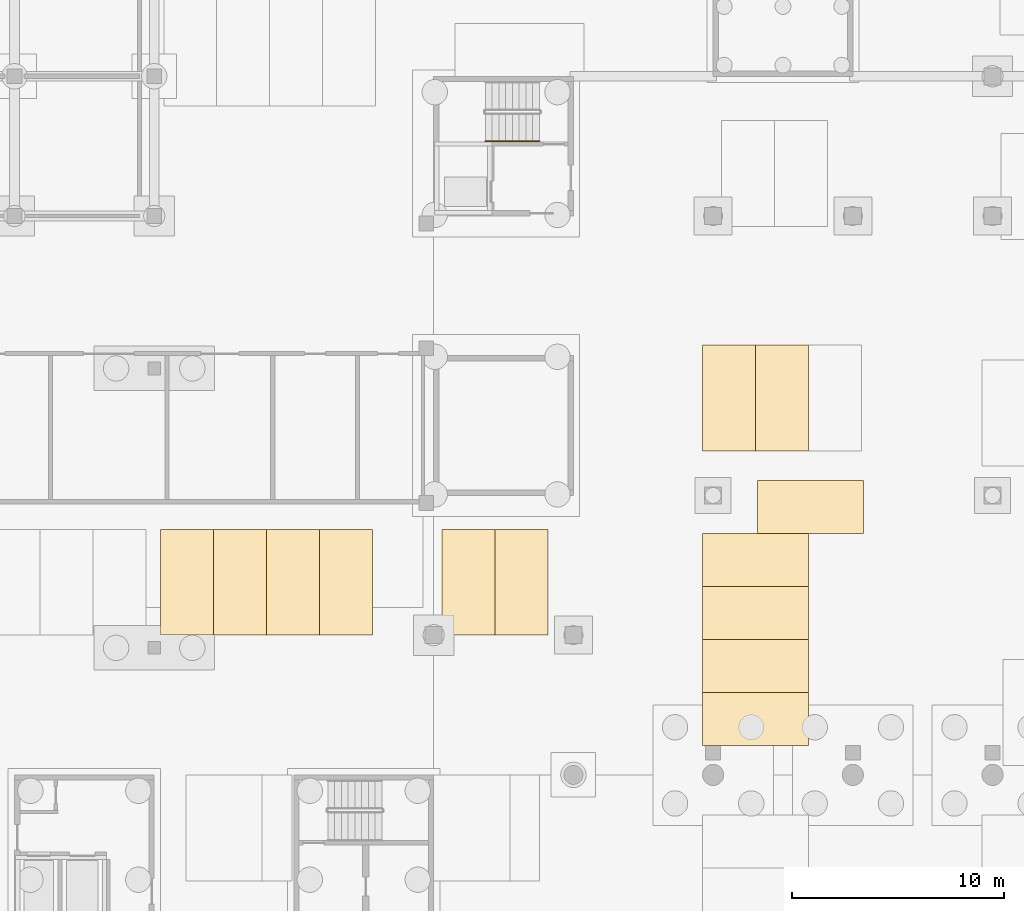
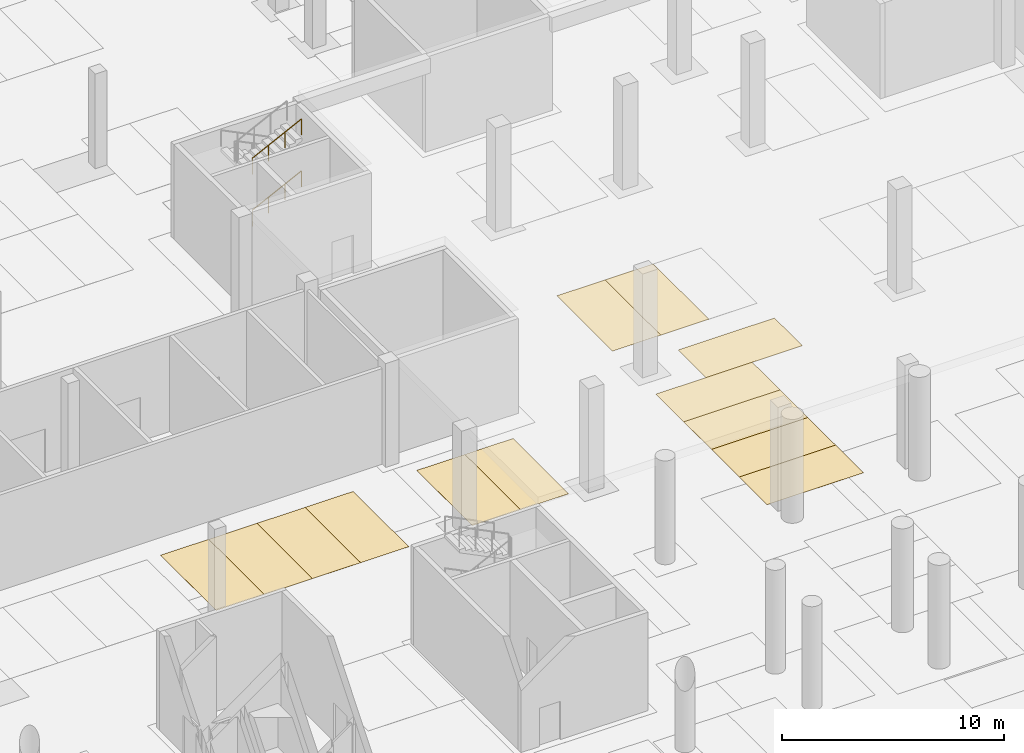
# One storey, part 28 of 38: 13 coverings, 2 railings.
"""IFC4 building model written with IfcOpenShell, lengths in metres."""

from ifc_helpers import new_model, si_unit, direction, frame, origin, origin_2d, place, context, subcontext, project, spatial, polyline, circle, outline, extrude, material, layer, layer_set, type_object, element, save


model = new_model("IFC4")

# Units and contexts
model_context = context("Model", 3, precision=1e-05, world=origin(), true_north=direction((0.0, 1.0)))
body_context = subcontext(model_context, "Body", "Model", "MODEL_VIEW")
ifc_project = project(units=[si_unit("LENGTHUNIT", "METRE"), si_unit("AREAUNIT", "SQUARE_METRE"), si_unit("VOLUMEUNIT", "CUBIC_METRE"), si_unit("PLANEANGLEUNIT", "RADIAN"), si_unit("MASSUNIT", "GRAM", prefix="KILO")], contexts=[model_context])

# Site, building, storey
site_placement = place(None, origin())
site = spatial("IfcSite", under=ifc_project, at=site_placement, CompositionType="ELEMENT")
building_placement = place(site_placement, origin())
building = spatial("IfcBuilding", under=site, at=building_placement, Name="Lantern Court Research Institute", CompositionType="ELEMENT")
storey_placement = place(building_placement, frame((0.0, 0.0, -5.699951171875)))
storey = spatial("IfcBuildingStorey", under=building, at=storey_placement, Name="B1", CompositionType="ELEMENT", Elevation=-5.699951171875)

# Coverings
ifc_material_1 = material(Name="Thermoplastic road marking paint")
ifc_layer = layer(ifc_material_1, 0.0029296875)
ifc_layer_set = layer_set([ifc_layer], Name="Thermoplastic road marking paint")
covering_type = type_object("IfcCoveringType", Name="Parking bay marking", PredefinedType="FLOORING", material=ifc_layer_set)
covering_1_placement = place(storey_placement, origin())
element("IfcCovering", 1, at=covering_1_placement, inside=storey, type_object=covering_type, Name="Parking bay marking 050", PredefinedType="FLOORING", context=body_context, shape_type="SweptSolid", body=[
    extrude(outline(polyline([(52.300048828125, 24.5), (57.300048828125, 24.5), (57.300048828125, 27.0), (52.300048828125, 27.0), (52.300048828125, 24.5)])), origin(), (0.0, 0.0, 1.0), 0.0029296875),
])
covering_2_placement = place(storey_placement, origin())
element("IfcCovering", 2, at=covering_2_placement, inside=storey, type_object=covering_type, Name="Parking bay marking 051", PredefinedType="FLOORING", context=body_context, shape_type="SweptSolid", body=[
    extrude(outline(polyline([(52.300048828125, 27.0), (57.300048828125, 27.0), (57.300048828125, 29.5), (52.300048828125, 29.5), (52.300048828125, 27.0)])), origin(), (0.0, 0.0, 1.0), 0.0029296875),
])
covering_3_placement = place(storey_placement, origin())
element("IfcCovering", 3, at=covering_3_placement, inside=storey, type_object=covering_type, Name="Parking bay marking 052", PredefinedType="FLOORING", context=body_context, shape_type="SweptSolid", body=[
    extrude(outline(polyline([(52.300048828125, 29.5), (57.300048828125, 29.5), (57.300048828125, 32.0), (52.300048828125, 32.0), (52.300048828125, 29.5)])), origin(), (0.0, 0.0, 1.0), 0.0029296875),
])
covering_4_placement = place(storey_placement, origin())
element("IfcCovering", 4, at=covering_4_placement, inside=storey, type_object=covering_type, Name="Parking bay marking 060", PredefinedType="FLOORING", context=body_context, shape_type="SweptSolid", body=[
    extrude(outline(polyline([(26.699951171875, 29.699951171875), (29.199951171875, 29.699951171875), (29.199951171875, 34.699951171875), (26.699951171875, 34.699951171875), (26.699951171875, 29.699951171875)])), origin(), (0.0, 0.0, 1.0), 0.0029296875),
])
covering_5_placement = place(storey_placement, origin())
element("IfcCovering", 5, at=covering_5_placement, inside=storey, type_object=covering_type, Name="Parking bay marking 061", PredefinedType="FLOORING", context=body_context, shape_type="SweptSolid", body=[
    extrude(outline(polyline([(29.199951171875, 29.699951171875), (31.699951171875, 29.699951171875), (31.699951171875, 34.699951171875), (29.199951171875, 34.699951171875), (29.199951171875, 29.699951171875)])), origin(), (0.0, 0.0, 1.0), 0.0029296875),
])
covering_6_placement = place(storey_placement, origin())
element("IfcCovering", 6, at=covering_6_placement, inside=storey, type_object=covering_type, Name="Parking bay marking 062", PredefinedType="FLOORING", context=body_context, shape_type="SweptSolid", body=[
    extrude(outline(polyline([(31.699951171875, 29.699951171875), (34.199951171875, 29.699951171875), (34.199951171875, 34.699951171875), (31.699951171875, 34.699951171875), (31.699951171875, 29.699951171875)])), origin(), (0.0, 0.0, 1.0), 0.0029296875),
])
covering_7_placement = place(storey_placement, origin())
element("IfcCovering", 7, at=covering_7_placement, inside=storey, type_object=covering_type, Name="Parking bay marking 063", PredefinedType="FLOORING", context=body_context, shape_type="SweptSolid", body=[
    extrude(outline(polyline([(34.199951171875, 29.699951171875), (36.699951171875, 29.699951171875), (36.699951171875, 34.699951171875), (34.199951171875, 34.699951171875), (34.199951171875, 29.699951171875)])), origin(), (0.0, 0.0, 1.0), 0.0029296875),
])
covering_8_placement = place(storey_placement, origin())
element("IfcCovering", 8, at=covering_8_placement, inside=storey, type_object=covering_type, Name="Parking bay marking 064", PredefinedType="FLOORING", context=body_context, shape_type="SweptSolid", body=[
    extrude(outline(polyline([(40.0, 29.699951171875), (42.5, 29.699951171875), (42.5, 34.699951171875), (40.0, 34.699951171875), (40.0, 29.699951171875)])), origin(), (0.0, 0.0, 1.0), 0.0029296875),
])
covering_9_placement = place(storey_placement, origin())
element("IfcCovering", 9, at=covering_9_placement, inside=storey, type_object=covering_type, Name="Parking bay marking 065", PredefinedType="FLOORING", context=body_context, shape_type="SweptSolid", body=[
    extrude(outline(polyline([(42.5, 29.699951171875), (45.0, 29.699951171875), (45.0, 34.699951171875), (42.5, 34.699951171875), (42.5, 29.699951171875)])), origin(), (0.0, 0.0, 1.0), 0.0029296875),
])
covering_10_placement = place(storey_placement, origin())
element("IfcCovering", 10, at=covering_10_placement, inside=storey, type_object=covering_type, Name="Parking bay marking 066", PredefinedType="FLOORING", context=body_context, shape_type="SweptSolid", body=[
    extrude(outline(polyline([(52.300048828125, 32.0), (57.300048828125, 32.0), (57.300048828125, 34.5), (52.300048828125, 34.5), (52.300048828125, 32.0)])), origin(), (0.0, 0.0, 1.0), 0.0029296875),
])
covering_11_placement = place(storey_placement, origin())
element("IfcCovering", 11, at=covering_11_placement, inside=storey, type_object=covering_type, Name="Parking bay marking 067", PredefinedType="FLOORING", context=body_context, shape_type="SweptSolid", body=[
    extrude(outline(polyline([(54.89990234375, 34.5), (59.89990234375, 34.5), (59.89990234375, 37.0), (54.89990234375, 37.0), (54.89990234375, 34.5)])), origin(), (0.0, 0.0, 1.0), 0.0029296875),
])
covering_12_placement = place(storey_placement, origin())
element("IfcCovering", 12, at=covering_12_placement, inside=storey, type_object=covering_type, Name="Parking bay marking 073", PredefinedType="FLOORING", context=body_context, shape_type="SweptSolid", body=[
    extrude(outline(polyline([(52.300048828125, 38.39990234375), (54.800048828125, 38.39990234375), (54.800048828125, 43.39990234375), (52.300048828125, 43.39990234375), (52.300048828125, 38.39990234375)])), origin(), (0.0, 0.0, 1.0), 0.0029296875),
])
covering_13_placement = place(storey_placement, origin())
element("IfcCovering", 13, at=covering_13_placement, inside=storey, type_object=covering_type, Name="Parking bay marking 074", PredefinedType="FLOORING", context=body_context, shape_type="SweptSolid", body=[
    extrude(outline(polyline([(54.800048828125, 38.39990234375), (57.300048828125, 38.39990234375), (57.300048828125, 43.39990234375), (54.800048828125, 43.39990234375), (54.800048828125, 38.39990234375)])), origin(), (0.0, 0.0, 1.0), 0.0029296875),
])

# Railings
ifc_material_2 = material(Name="Stainless steel 316", Category="steel")
railing_type = type_object("IfcRailingType", Name="Stair handrail 900 steel", PredefinedType="HANDRAIL", material=ifc_material_2)
for number, where, name in (
    (14, (42.0400390625, 53.02490234375, 1.583251953125), "B1 ST-H1 stair handrail 2"),
    (15, (42.0400390625, 53.02490234375, 4.433349609375), "B1 ST-H1 stair handrail 4"),
):
    element("IfcRailing", number, at=place(storey_placement, frame(where)), inside=storey, type_object=railing_type, Name=name, PredefinedType="HANDRAIL", context=body_context, shape_type="SweptSolid", body=[
        extrude(circle(Radius=0.02392578125, at=origin_2d()), frame((0.0, 0.0, 0.8759765625), z_axis=(0.896299752543, 0.0, 0.443448704577), x_axis=(0.0, 1.0, 0.0)), (0.0, 0.0, 1.0), 2.856201171875),
        extrude(circle(Radius=0.02099609375, at=origin_2d()), origin(), (0.0, 0.0, 1.0), 0.851806640625),
        extrude(circle(Radius=0.02099609375, at=origin_2d()), frame((0.853271484375, 0.0, 0.422119140625)), (0.0, 0.0, 1.0), 0.851806640625),
        extrude(circle(Radius=0.02099609375, at=origin_2d()), frame((1.706787109375, 0.0, 0.844482421875)), (0.0, 0.0, 1.0), 0.851806640625),
        extrude(circle(Radius=0.02099609375, at=origin_2d()), frame((2.56005859375, 0.0, 1.2666015625)), (0.0, 0.0, 1.0), 0.851806640625),
    ])

save(model, "model.ifc")
